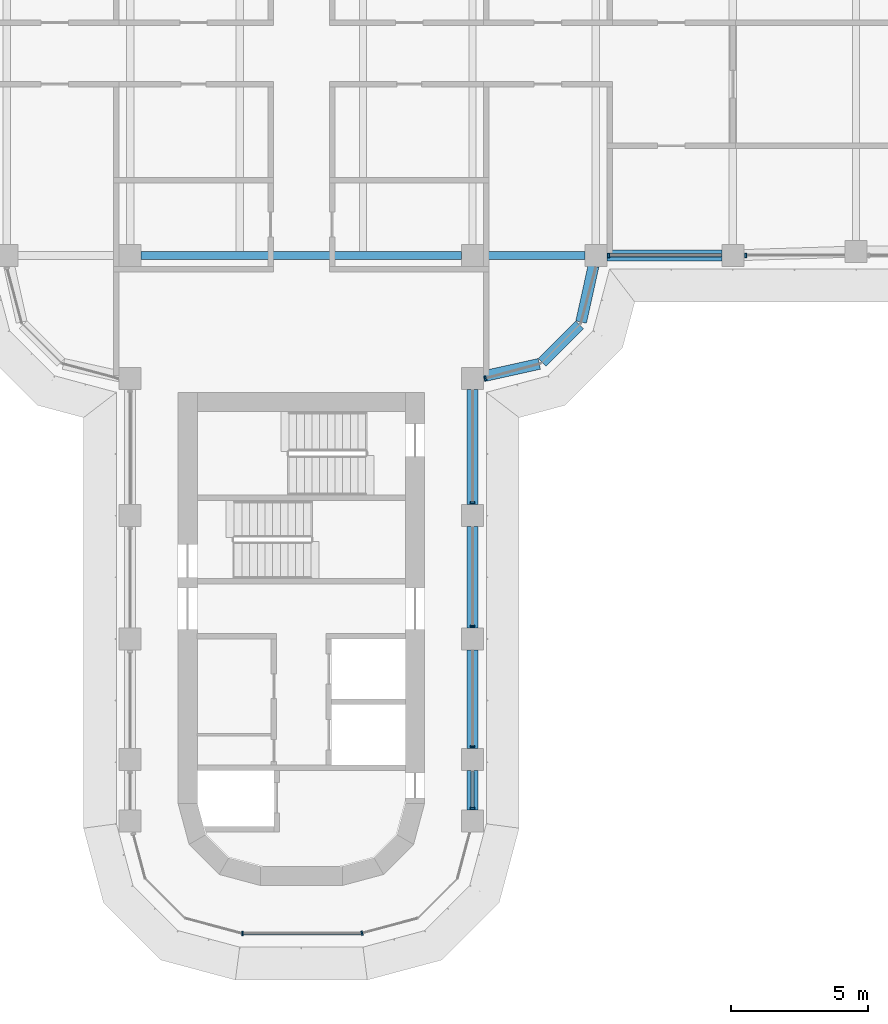
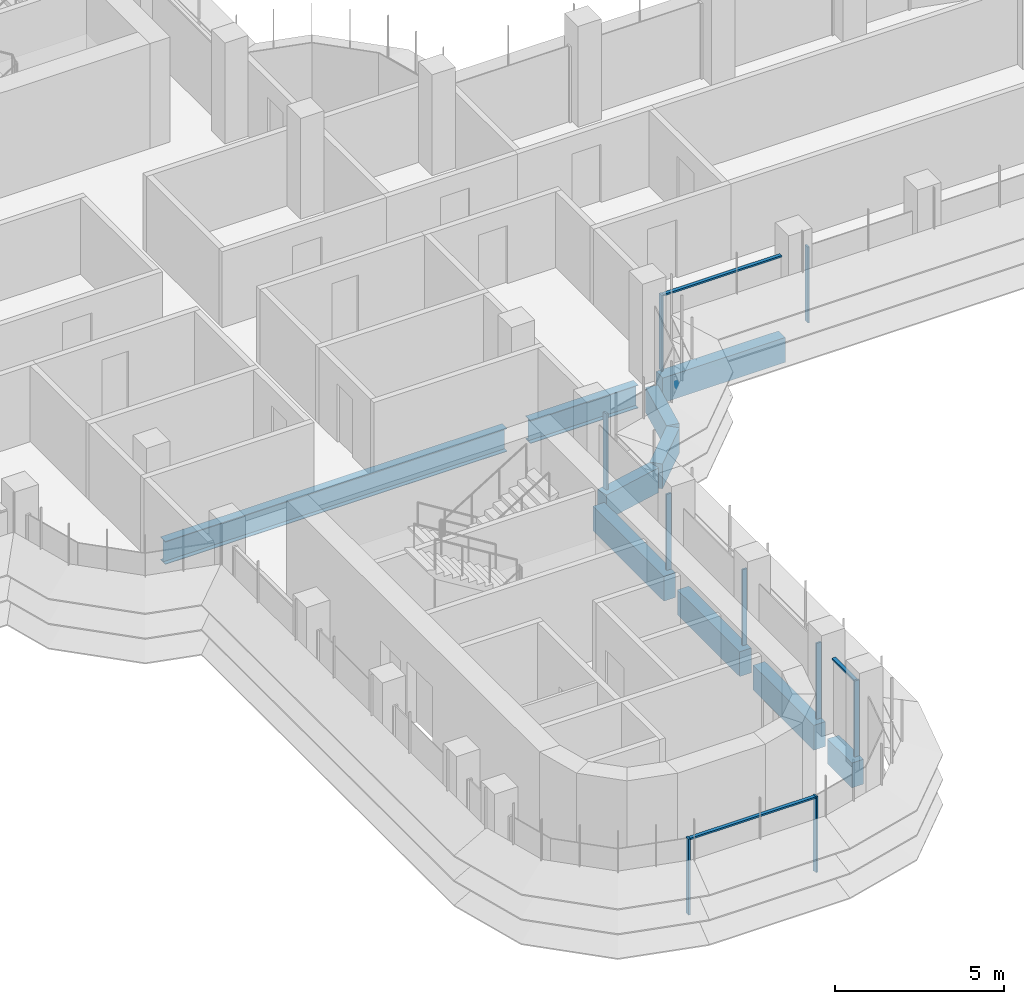
# One storey, part 4 of 19: 12 members, 10 beams, 5 elements without a shape of their own.
"""IFC4 building model written with IfcOpenShell, lengths in metres."""

from ifc_helpers import new_model, si_unit, direction, frame, origin, origin_2d, place, context, subcontext, project, spatial, polyline, rectangle, i_section, outline, extrude, source, transform, mapped, material, material_profile, profile_set, type_object, element, aggregate, save


model = new_model("IFC4")

# Units and contexts
model_context = context("Model", 3, precision=1e-05, world=origin(), true_north=direction((0.0, 1.0)))
body_context = subcontext(model_context, "Body", "Model", "MODEL_VIEW")
ifc_project = project(units=[si_unit("LENGTHUNIT", "METRE"), si_unit("AREAUNIT", "SQUARE_METRE"), si_unit("VOLUMEUNIT", "CUBIC_METRE"), si_unit("PLANEANGLEUNIT", "RADIAN"), si_unit("MASSUNIT", "GRAM", prefix="KILO")], contexts=[model_context])

# Site, building, storey
site_placement = place(None, origin())
site = spatial("IfcSite", under=ifc_project, at=site_placement, CompositionType="ELEMENT")
building_placement = place(site_placement, origin())
building = spatial("IfcBuilding", under=site, at=building_placement, Name="Zarbagh Exchange Tower", CompositionType="ELEMENT")
storey_placement = place(building_placement, frame((0.0, 0.0, 179.0)))
storey = spatial("IfcBuildingStorey", under=building, at=storey_placement, Name="L43", CompositionType="ELEMENT", Elevation=179.0)

# Beams
ifc_material_1 = material(Name="Steel ASTM A992 Gr 50", Category="steel")
ifc_material_profile_1 = material_profile(ifc_material_1, i_section(OverallWidth=0.2919921875, OverallDepth=0.835693359375, WebThickness=0.013916015625, FlangeThickness=0.018798828125, at=origin_2d()), Name="W33X118")
ifc_profile_set_1 = profile_set([ifc_material_profile_1], Name="Steel ASTM A992 Gr 50")
beam_type_1 = type_object("IfcBeamType", Name="Floor girder W33X118", PredefinedType="BEAM", material=ifc_profile_set_1)
beam_1_placement = place(storey_placement, frame((-5.85009765625, -6.25, -0.56787109375), z_axis=(1.0, 0.0, 0.0), x_axis=(0.0, 1.0, 0.0)))
element("IfcBeam", 1, at=beam_1_placement, inside=storey, type_object=beam_type_1, Name="Steel girder", PredefinedType="BEAM", context=body_context, shape_type="SweptSolid", body=[
    extrude(i_section(OverallWidth=0.2919921875, OverallDepth=0.835693359375, WebThickness=0.013916015625, FlangeThickness=0.018798828125, at=origin_2d()), origin(), (0.0, 0.0, 1.0), 11.7001953125),
])
beam_2_placement = place(storey_placement, frame((6.64990234375, -6.25, -0.56787109375), z_axis=(1.0, 0.0, 0.0), x_axis=(0.0, 1.0, 0.0)))
element("IfcBeam", 2, at=beam_2_placement, inside=storey, type_object=beam_type_1, Name="Steel girder", PredefinedType="BEAM", context=body_context, shape_type="SweptSolid", body=[
    extrude(i_section(OverallWidth=0.2919921875, OverallDepth=0.835693359375, WebThickness=0.013916015625, FlangeThickness=0.018798828125, at=origin_2d()), origin(), (0.0, 0.0, 1.0), 3.7001953125),
])
ifc_material_2 = material(Name="Concrete C50/60", Category="concrete")
ifc_material_profile_2 = material_profile(ifc_material_2, rectangle(XDim=0.39990234375, YDim=0.89990234375, at=origin_2d()), Name="RC spandrel beam 400 x 900 C50/60")
ifc_profile_set_2 = profile_set([ifc_material_profile_2], Name="Concrete C50/60")
beam_type_2 = type_object("IfcBeamType", Name="RC spandrel beam 400 x 900 C50/60", PredefinedType="SPANDREL", material=ifc_profile_set_2)
beam_3_placement = place(storey_placement, frame((15.35009765625, -6.25, -0.60009765625), z_axis=(-1.0, 0.0, 0.0), x_axis=(0.0, -1.0, 0.0)))
element("IfcBeam", 3, at=beam_3_placement, inside=storey, type_object=beam_type_2, Name="RC spandrel beam", PredefinedType="SPANDREL", context=body_context, shape_type="SweptSolid", body=[
    extrude(rectangle(XDim=0.39990234375, YDim=0.89990234375, at=origin_2d()), origin(), (0.0, 0.0, 1.0), 4.2001953125),
])
beam_4_placement = place(storey_placement, frame((10.66357421875, -6.640625, -0.60009765625), z_axis=(-0.216041061437, -0.976384278741, 0.0), x_axis=(0.976384278741, -0.216041061437, 0.0)))
element("IfcBeam", 4, at=beam_4_placement, inside=storey, type_object=beam_type_2, Name="RC spandrel beam", PredefinedType="SPANDREL", context=body_context, shape_type="SweptSolid", body=[
    extrude(rectangle(XDim=0.39990234375, YDim=0.89990234375, at=origin_2d()), origin(), (0.0, 0.0, 1.0), 2.0927734375),
])
beam_5_placement = place(storey_placement, frame((10.15771484375, -8.782470703125, -0.60009765625), z_axis=(-0.707106781187, -0.707106781187, 0.0), x_axis=(0.707106781187, -0.707106781187, 0.0)))
element("IfcBeam", 5, at=beam_5_placement, inside=storey, type_object=beam_type_2, Name="RC spandrel beam", PredefinedType="SPANDREL", context=body_context, shape_type="SweptSolid", body=[
    extrude(rectangle(XDim=0.39990234375, YDim=0.89990234375, at=origin_2d()), origin(), (0.0, 0.0, 1.0), 1.94482421875),
])
beam_6_placement = place(storey_placement, frame((8.68408203125, -10.21142578125, -0.60009765625), z_axis=(-0.976384278741, -0.216041061437, 0.0), x_axis=(0.216041061437, -0.976384278741, 0.0)))
element("IfcBeam", 6, at=beam_6_placement, inside=storey, type_object=beam_type_2, Name="RC spandrel beam", PredefinedType="SPANDREL", context=body_context, shape_type="SweptSolid", body=[
    extrude(rectangle(XDim=0.39990234375, YDim=0.89990234375, at=origin_2d()), origin(), (0.0, 0.0, 1.0), 2.0927734375),
])
beam_7_placement = place(storey_placement, frame((6.25, -11.14990234375, -0.60009765625), z_axis=(0.0, -1.0, 0.0), x_axis=(1.0, 0.0, 0.0)))
element("IfcBeam", 7, at=beam_7_placement, inside=storey, type_object=beam_type_2, Name="RC spandrel beam", PredefinedType="SPANDREL", context=body_context, shape_type="SweptSolid", body=[
    extrude(rectangle(XDim=0.39990234375, YDim=0.89990234375, at=origin_2d()), origin(), (0.0, 0.0, 1.0), 4.2001953125),
])
beam_8_placement = place(storey_placement, frame((6.25, -16.14990234375, -0.60009765625), z_axis=(0.0, -1.0, 0.0), x_axis=(1.0, 0.0, 0.0)))
element("IfcBeam", 8, at=beam_8_placement, inside=storey, type_object=beam_type_2, Name="RC spandrel beam", PredefinedType="SPANDREL", context=body_context, shape_type="SweptSolid", body=[
    extrude(rectangle(XDim=0.39990234375, YDim=0.89990234375, at=origin_2d()), origin(), (0.0, 0.0, 1.0), 3.7001953125),
])
beam_9_placement = place(storey_placement, frame((6.25, -20.64990234375, -0.60009765625), z_axis=(0.0, -1.0, 0.0), x_axis=(1.0, 0.0, 0.0)))
element("IfcBeam", 9, at=beam_9_placement, inside=storey, type_object=beam_type_2, Name="RC spandrel beam", PredefinedType="SPANDREL", context=body_context, shape_type="SweptSolid", body=[
    extrude(rectangle(XDim=0.39990234375, YDim=0.89990234375, at=origin_2d()), origin(), (0.0, 0.0, 1.0), 3.60009765625),
])
beam_10_placement = place(storey_placement, frame((6.25, -25.050048828125, -0.60009765625), z_axis=(0.0, -1.0, 0.0), x_axis=(1.0, 0.0, 0.0)))
element("IfcBeam", 10, at=beam_10_placement, inside=storey, type_object=beam_type_2, Name="RC spandrel beam", PredefinedType="SPANDREL", context=body_context, shape_type="SweptSolid", body=[
    extrude(rectangle(XDim=0.39990234375, YDim=0.89990234375, at=origin_2d()), origin(), (0.0, 0.0, 1.0), 1.449951171875),
])

# Curtain wall, member
ifc_material_3 = material(Name="Anodised aluminium frame and glazing", Category="aluminium")
curtain_wall_type = type_object("IfcCurtainWallType", Name="CWB Ribbon glazing, upper zones", PredefinedType="NOTDEFINED", material=ifc_material_3)
curtain_wall_1_placement = place(storey_placement, origin())
curtain_wall_1 = element("IfcCurtainWall", 11, at=curtain_wall_1_placement, inside=storey, type_object=curtain_wall_type, Name="CWB49 curtain wall", PredefinedType="NOTDEFINED")
ifc_material_4 = material(Name="Anodised aluminium frame", Category="aluminium")
member_type_1 = type_object("IfcMemberType", Name="MUB Mullion, anodised aluminium frame", PredefinedType="MULLION", material=ifc_material_4)
shared_shape_1 = source(origin(), body_context, "Body", "SweptSolid", [
    extrude(outline(polyline([(0.0, -0.080078125), (0.06005859375, -0.080078125), (0.06005859375, 0.080078125), (0.0, 0.080078125), (0.0, -0.080078125)])), origin(), (0.0, 0.0, 1.0), 2.75),
])
placement = place(storey_placement, origin())
member_1 = element("IfcMember", 12, at=placement, type_object=member_type_1, Name="CWB49 mullion 1.1", PredefinedType="MULLION", context=body_context, shape_type="MappedRepresentation", body=[
    mapped(shared_shape_1, transform((2.18408203125, -31.0, 0.0), x_axis=(0.965924289636, 0.258824779902, 0.0), y_axis=(-0.258824779902, 0.965924289636, 0.0), z_axis=(0.0, 0.0, 1.0))),
])
aggregate(curtain_wall_1, [member_1])

# Curtain wall, members
curtain_wall_2_placement = place(storey_placement, origin())
curtain_wall_2 = element("IfcCurtainWall", 13, at=curtain_wall_2_placement, inside=storey, type_object=curtain_wall_type, Name="CWB52 curtain wall", PredefinedType="NOTDEFINED")
member_2 = element("IfcMember", 14, at=placement, type_object=member_type_1, Name="CWB52 mullion 1.1", PredefinedType="MULLION", context=body_context, shape_type="MappedRepresentation", body=[
    mapped(shared_shape_1, transform((6.25, -26.4599609375, 0.0), x_axis=(0.0, 1.0, 0.0), y_axis=(-1.0, 0.0, 0.0), z_axis=(0.0, 0.0, 1.0))),
])
member_3 = element("IfcMember", 15, at=placement, type_object=member_type_1, Name="CWB52 mullion 2.1", PredefinedType="MULLION", context=body_context, shape_type="MappedRepresentation", body=[
    mapped(shared_shape_1, transform((6.25, -24.2099609375, 0.0), x_axis=(0.0, 1.0, 0.0), y_axis=(-1.0, 0.0, 0.0), z_axis=(0.0, 0.0, 1.0))),
])
member_4 = element("IfcMember", 16, at=placement, type_object=member_type_1, Name="CWB52 mullion 3.1", PredefinedType="MULLION", context=body_context, shape_type="MappedRepresentation", body=[
    mapped(shared_shape_1, transform((6.25, -19.81005859375, 0.0), x_axis=(0.0, 1.0, 0.0), y_axis=(-1.0, 0.0, 0.0), z_axis=(0.0, 0.0, 1.0))),
])
member_5 = element("IfcMember", 17, at=placement, type_object=member_type_1, Name="CWB52 mullion 4.1", PredefinedType="MULLION", context=body_context, shape_type="MappedRepresentation", body=[
    mapped(shared_shape_1, transform((6.25, -15.31005859375, 0.0), x_axis=(0.0, 1.0, 0.0), y_axis=(-1.0, 0.0, 0.0), z_axis=(0.0, 0.0, 1.0))),
])

# Curtain wall, member
curtain_wall_3_placement = place(storey_placement, origin())
curtain_wall_3 = element("IfcCurtainWall", 18, at=curtain_wall_3_placement, inside=storey, type_object=curtain_wall_type, Name="CWB05 curtain wall", PredefinedType="NOTDEFINED")
member_6 = element("IfcMember", 19, at=placement, type_object=member_type_1, Name="CWB05 mullion 1.1", PredefinedType="MULLION", context=body_context, shape_type="MappedRepresentation", body=[
    mapped(shared_shape_1, transform((6.68994140625, -10.74853515625, 0.0), x_axis=(0.965924289636, 0.258824779902, 0.0), y_axis=(-0.258824779902, 0.965924289636, 0.0), z_axis=(0.0, 0.0, 1.0))),
])
aggregate(curtain_wall_3, [member_6])

# Curtain wall, members
curtain_wall_4_placement = place(storey_placement, origin())
curtain_wall_4 = element("IfcCurtainWall", 20, at=curtain_wall_4_placement, inside=storey, type_object=curtain_wall_type, Name="CWB08 curtain wall", PredefinedType="NOTDEFINED")
member_7 = element("IfcMember", 21, at=placement, type_object=member_type_1, Name="CWB08 mullion 1.1", PredefinedType="MULLION", context=body_context, shape_type="MappedRepresentation", body=[
    mapped(shared_shape_1, transform((11.18994140625, -6.25, 0.0), x_axis=(1.0, 0.0, 0.0), y_axis=(0.0, 1.0, 0.0), z_axis=(0.0, 0.0, 1.0))),
])
member_8 = element("IfcMember", 22, at=placement, type_object=member_type_1, Name="CWB08 mullion 2.1", PredefinedType="MULLION", context=body_context, shape_type="MappedRepresentation", body=[
    mapped(shared_shape_1, transform((16.18994140625, -6.25, 0.0), x_axis=(1.0, 0.0, 0.0), y_axis=(0.0, 1.0, 0.0), z_axis=(0.0, 0.0, 1.0))),
])

curtain_wall_5_placement = place(storey_placement, origin())
curtain_wall_5 = element("IfcCurtainWall", 23, at=curtain_wall_5_placement, inside=storey, type_object=curtain_wall_type, Name="CWB57 curtain wall", PredefinedType="NOTDEFINED")
member_9 = element("IfcMember", 24, at=placement, type_object=member_type_1, Name="CWB57 mullion 1.1", PredefinedType="MULLION", context=body_context, shape_type="MappedRepresentation", body=[
    mapped(shared_shape_1, transform((-2.18408203125, -31.0, 0.0), x_axis=(1.0, 0.0, 0.0), y_axis=(0.0, 1.0, 0.0), z_axis=(0.0, 0.0, 1.0))),
])
member_type_2 = type_object("IfcMemberType", Name="TRB Transom, anodised aluminium frame", PredefinedType="USERDEFINED", material=ifc_material_4)
shared_shape_2 = source(origin(), body_context, "Body", "SweptSolid", [
    extrude(outline(polyline([(-0.06005859375, -0.06005859375), (0.0, -0.06005859375), (0.0, 0.06005859375), (-0.06005859375, 0.06005859375), (-0.06005859375, -0.06005859375)])), origin(), (0.0, 0.0, 1.0), 4.308349609375),
])
member_10 = element("IfcMember", 25, at=placement, type_object=member_type_2, Name="CWB57 transom 1.1", ObjectType="TRANSOM", PredefinedType="USERDEFINED", context=body_context, shape_type="MappedRepresentation", body=[
    mapped(shared_shape_2, transform((-2.124267578125, -31.0, 2.75), x_axis=(0.0, 0.0, 1.0), y_axis=(0.0, -1.0, 0.0), z_axis=(1.0, 0.0, 0.0))),
])
aggregate(curtain_wall_5, [member_9, member_10])

# Member
shared_shape_3 = source(origin(), body_context, "Body", "SweptSolid", [
    extrude(outline(polyline([(-0.06005859375, -0.06005859375), (0.0, -0.06005859375), (0.0, 0.06005859375), (-0.06005859375, 0.06005859375), (-0.06005859375, -0.06005859375)])), origin(), (0.0, 0.0, 1.0), 4.06005859375),
])
member_11 = element("IfcMember", 26, at=placement, type_object=member_type_2, Name="CWB08 transom 1.1", ObjectType="TRANSOM", PredefinedType="USERDEFINED", context=body_context, shape_type="MappedRepresentation", body=[
    mapped(shared_shape_3, transform((11.25, -6.25, 2.75), x_axis=(0.0, 0.0, 1.0), y_axis=(0.0, -1.0, 0.0), z_axis=(1.0, 0.0, 0.0))),
])

aggregate(curtain_wall_4, [member_7, member_11, member_8])

shared_shape_4 = source(origin(), body_context, "Body", "SweptSolid", [
    extrude(outline(polyline([(-0.06005859375, -0.06005859375), (0.0, -0.06005859375), (0.0, 0.06005859375), (-0.06005859375, 0.06005859375), (-0.06005859375, -0.06005859375)])), origin(), (0.0, 0.0, 1.0), 1.31005859375),
])
member_12 = element("IfcMember", 27, at=placement, type_object=member_type_2, Name="CWB52 transom 1.1", ObjectType="TRANSOM", PredefinedType="USERDEFINED", context=body_context, shape_type="MappedRepresentation", body=[
    mapped(shared_shape_4, transform((6.25, -26.39990234375, 2.75), x_axis=(0.0, 0.0, 1.0), y_axis=(1.0, 0.0, 0.0), z_axis=(0.0, 1.0, 0.0))),
])

aggregate(curtain_wall_2, [member_2, member_12, member_3, member_4, member_5])

save(model, "model.ifc")
